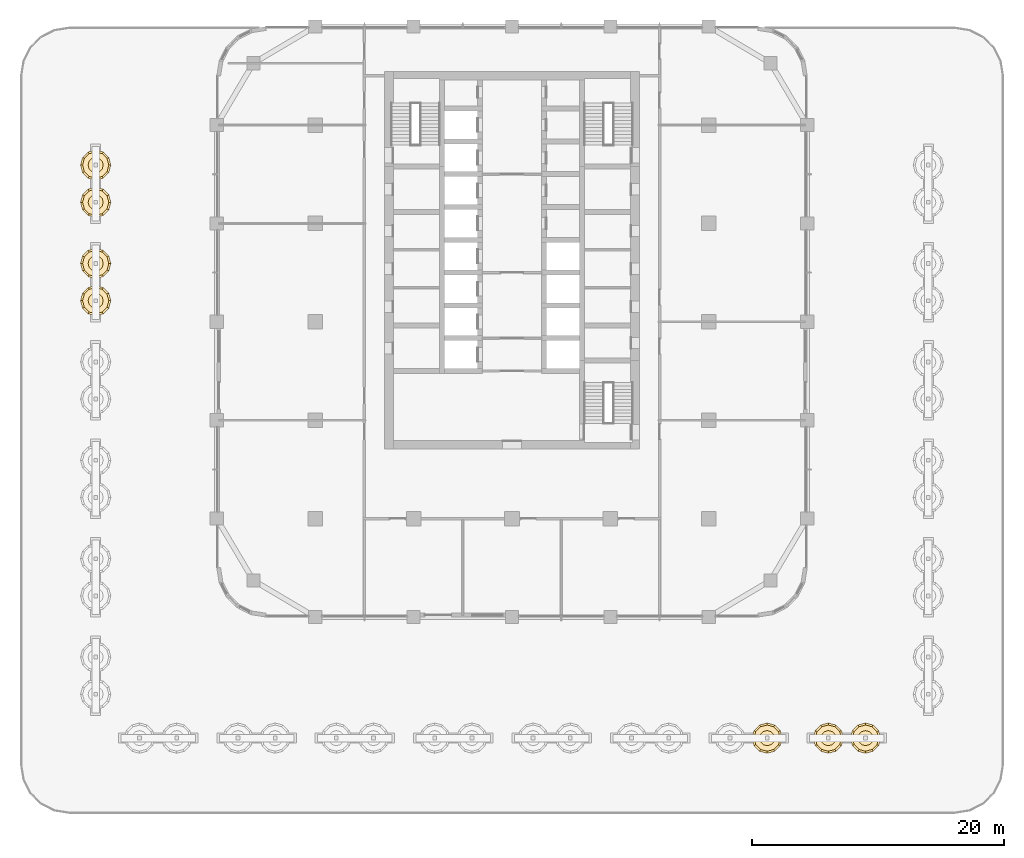
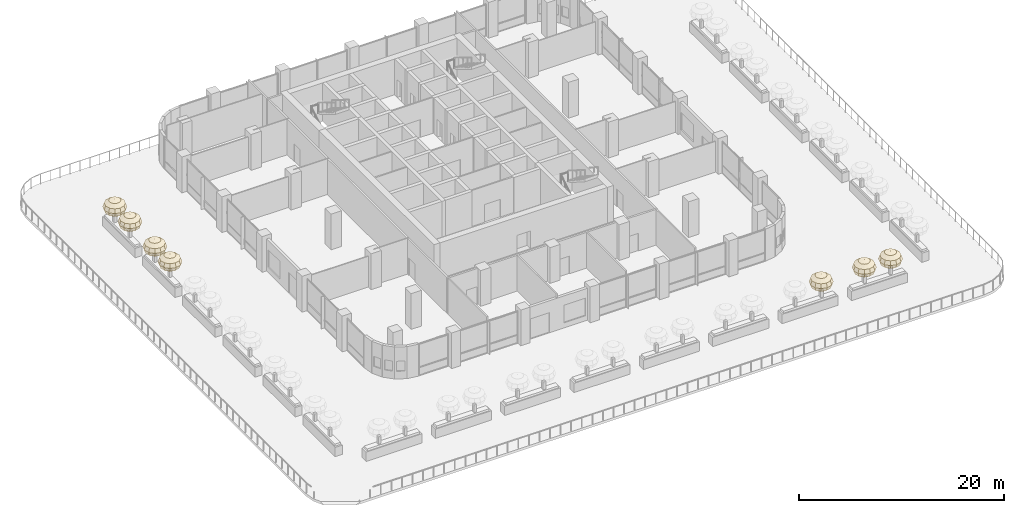
# One storey, part 29 of 31: 7 coverings.
"""IFC4 building model written with IfcOpenShell, lengths in metres."""

from ifc_helpers import new_model, si_unit, direction, frame, origin, place, context, subcontext, project, spatial, triangles, material, layer, layer_set, type_object, element, save


model = new_model("IFC4")

# Units and contexts
model_context = context("Model", 3, precision=1e-05, world=origin(), true_north=direction((0.0, 1.0)))
body_context = subcontext(model_context, "Body", "Model", "MODEL_VIEW")
ifc_project = project(units=[si_unit("LENGTHUNIT", "METRE"), si_unit("AREAUNIT", "SQUARE_METRE"), si_unit("VOLUMEUNIT", "CUBIC_METRE"), si_unit("PLANEANGLEUNIT", "RADIAN"), si_unit("MASSUNIT", "GRAM", prefix="KILO")], contexts=[model_context])

# Site, building, storey
site_placement = place(None, origin())
site = spatial("IfcSite", under=ifc_project, at=site_placement, CompositionType="ELEMENT")
building_placement = place(site_placement, origin())
building = spatial("IfcBuilding", under=site, at=building_placement, Name="Ludao Terraces", CompositionType="ELEMENT")
storey_placement = place(building_placement, frame((0.0, 0.0, 15.0)))
storey = spatial("IfcBuildingStorey", under=building, at=storey_placement, Name="L03", CompositionType="ELEMENT", Elevation=15.0)

# Coverings
ifc_material = material(Name="Planting")
ifc_layer = layer(ifc_material, 2.39990234375)
ifc_layer_set = layer_set([ifc_layer], Name="ENV Terrace tree crown 2400")
covering_type = type_object("IfcCoveringType", Name="ENV Terrace tree crown 2400", PredefinedType="USERDEFINED", material=ifc_layer_set)
covering_1_placement = place(storey_placement, frame((105.22509765625, 32.0, 3.14990234375)))
element("IfcCovering", 1, at=covering_1_placement, inside=storey, type_object=covering_type, Name="Terrace tree crown L03-T7.2", ObjectType="PLANTING", PredefinedType="USERDEFINED", context=body_context, shape_type="Tessellation", body=[
    triangles([(0.0, 0.0, 0.89990234375), (0.599853515625, 0.0, 0.779296875), (0.51953125, 0.300048828125, 0.779296875), (0.300048828125, 0.51953125, 0.779296875), (0.0, 0.599853515625, 0.779296875), (-0.300048828125, 0.51953125, 0.779296875), (-0.51953125, 0.300048828125, 0.779296875), (-0.599853515625, 0.0, 0.779296875), (-0.51953125, -0.300048828125, 0.779296875), (-0.300048828125, -0.51953125, 0.779296875), (0.0, -0.599853515625, 0.779296875), (0.300048828125, -0.51953125, 0.779296875), (0.51953125, -0.300048828125, 0.779296875), (1.039306640625, 0.0, 0.449951171875), (0.89990234375, 0.51953125, 0.449951171875), (0.51953125, 0.89990234375, 0.449951171875), (0.0, 1.039306640625, 0.449951171875), (-0.51953125, 0.89990234375, 0.449951171875), (-0.89990234375, 0.51953125, 0.449951171875), (-1.039306640625, 0.0, 0.449951171875), (-0.89990234375, -0.51953125, 0.449951171875), (-0.51953125, -0.89990234375, 0.449951171875), (0.0, -1.039306640625, 0.449951171875), (0.51953125, -0.89990234375, 0.449951171875), (0.89990234375, -0.51953125, 0.449951171875), (1.199951171875, 0.0, 0.0), (1.039306640625, 0.599853515625, 0.0), (0.60009765625, 1.039306640625, 0.0), (0.0, 1.199951171875, 0.0), (-0.599853515625, 1.039306640625, 0.0), (-1.039306640625, 0.599853515625, 0.0), (-1.199951171875, 0.0, 0.0), (-1.039306640625, -0.599853515625, 0.0), (-0.60009765625, -1.039306640625, 0.0), (0.0, -1.199951171875, 0.0), (0.60009765625, -1.039306640625, 0.0), (1.039306640625, -0.60009765625, 0.0), (1.039306640625, 0.0, -0.449951171875), (0.89990234375, 0.51953125, -0.449951171875), (0.51953125, 0.89990234375, -0.449951171875), (0.0, 1.039306640625, -0.449951171875), (-0.51953125, 0.89990234375, -0.449951171875), (-0.89990234375, 0.51953125, -0.449951171875), (-1.039306640625, 0.0, -0.449951171875), (-0.89990234375, -0.51953125, -0.449951171875), (-0.51953125, -0.89990234375, -0.449951171875), (0.0, -1.039306640625, -0.449951171875), (0.51953125, -0.89990234375, -0.449951171875), (0.89990234375, -0.51953125, -0.449951171875), (0.599853515625, 0.0, -0.779296875), (0.51953125, 0.300048828125, -0.779296875), (0.300048828125, 0.51953125, -0.779296875), (0.0, 0.599853515625, -0.779296875), (-0.300048828125, 0.51953125, -0.779296875), (-0.51953125, 0.300048828125, -0.779296875), (-0.599853515625, 0.0, -0.779296875), (-0.51953125, -0.300048828125, -0.779296875), (-0.300048828125, -0.51953125, -0.779296875), (0.0, -0.599853515625, -0.779296875), (0.300048828125, -0.51953125, -0.779296875), (0.51953125, -0.300048828125, -0.779296875), (0.0, 0.0, -0.89990234375)], [[1, 2, 3], [1, 3, 4], [1, 4, 5], [1, 5, 6], [1, 6, 7], [1, 7, 8], [1, 8, 9], [1, 9, 10], [1, 10, 11], [1, 11, 12], [1, 12, 13], [1, 13, 2], [2, 14, 15], [2, 15, 3], [3, 15, 16], [3, 16, 4], [4, 16, 17], [4, 17, 5], [5, 17, 18], [5, 18, 6], [6, 18, 19], [6, 19, 7], [7, 19, 20], [7, 20, 8], [8, 20, 21], [8, 21, 9], [9, 21, 22], [9, 22, 10], [10, 22, 23], [10, 23, 11], [11, 23, 24], [11, 24, 12], [12, 24, 25], [12, 25, 13], [13, 25, 14], [13, 14, 2], [14, 26, 27], [14, 27, 15], [15, 27, 28], [15, 28, 16], [16, 28, 29], [16, 29, 17], [17, 29, 30], [17, 30, 18], [18, 30, 31], [18, 31, 19], [19, 31, 32], [19, 32, 20], [20, 32, 33], [20, 33, 21], [21, 33, 34], [21, 34, 22], [22, 34, 35], [22, 35, 23], [23, 35, 36], [23, 36, 24], [24, 36, 37], [24, 37, 25], [25, 37, 26], [25, 26, 14], [26, 38, 39], [26, 39, 27], [27, 39, 40], [27, 40, 28], [28, 40, 41], [28, 41, 29], [29, 41, 42], [29, 42, 30], [30, 42, 43], [30, 43, 31], [31, 43, 44], [31, 44, 32], [32, 44, 45], [32, 45, 33], [33, 45, 46], [33, 46, 34], [34, 46, 47], [34, 47, 35], [35, 47, 48], [35, 48, 36], [36, 48, 49], [36, 49, 37], [37, 49, 38], [37, 38, 26], [38, 50, 51], [38, 51, 39], [39, 51, 52], [39, 52, 40], [40, 52, 53], [40, 53, 41], [41, 53, 54], [41, 54, 42], [42, 54, 55], [42, 55, 43], [43, 55, 56], [43, 56, 44], [44, 56, 57], [44, 57, 45], [45, 57, 58], [45, 58, 46], [46, 58, 59], [46, 59, 47], [47, 59, 60], [47, 60, 48], [48, 60, 61], [48, 61, 49], [49, 61, 50], [49, 50, 38], [62, 51, 50], [62, 52, 51], [62, 53, 52], [62, 54, 53], [62, 55, 54], [62, 56, 55], [62, 57, 56], [62, 58, 57], [62, 59, 58], [62, 60, 59], [62, 61, 60], [62, 50, 61]], closed=True),
])
covering_2_placement = place(storey_placement, frame((110.074951171875, 32.0, 3.14990234375)))
element("IfcCovering", 2, at=covering_2_placement, inside=storey, type_object=covering_type, Name="Terrace tree crown L03-T8.1", ObjectType="PLANTING", PredefinedType="USERDEFINED", context=body_context, shape_type="Tessellation", body=[
    triangles([(0.0, 0.0, 0.89990234375), (0.599853515625, 0.0, 0.779296875), (0.51953125, 0.300048828125, 0.779296875), (0.300048828125, 0.51953125, 0.779296875), (0.0, 0.599853515625, 0.779296875), (-0.300048828125, 0.51953125, 0.779296875), (-0.51953125, 0.300048828125, 0.779296875), (-0.599853515625, 0.0, 0.779296875), (-0.51953125, -0.300048828125, 0.779296875), (-0.300048828125, -0.51953125, 0.779296875), (0.0, -0.599853515625, 0.779296875), (0.300048828125, -0.51953125, 0.779296875), (0.51953125, -0.300048828125, 0.779296875), (1.039306640625, 0.0, 0.449951171875), (0.89990234375, 0.51953125, 0.449951171875), (0.51953125, 0.89990234375, 0.449951171875), (0.0, 1.039306640625, 0.449951171875), (-0.51953125, 0.89990234375, 0.449951171875), (-0.89990234375, 0.51953125, 0.449951171875), (-1.039306640625, 0.0, 0.449951171875), (-0.89990234375, -0.51953125, 0.449951171875), (-0.51953125, -0.89990234375, 0.449951171875), (0.0, -1.039306640625, 0.449951171875), (0.51953125, -0.89990234375, 0.449951171875), (0.89990234375, -0.51953125, 0.449951171875), (1.199951171875, 0.0, 0.0), (1.039306640625, 0.599853515625, 0.0), (0.60009765625, 1.039306640625, 0.0), (0.0, 1.199951171875, 0.0), (-0.599853515625, 1.039306640625, 0.0), (-1.039306640625, 0.599853515625, 0.0), (-1.199951171875, 0.0, 0.0), (-1.039306640625, -0.599853515625, 0.0), (-0.60009765625, -1.039306640625, 0.0), (0.0, -1.199951171875, 0.0), (0.60009765625, -1.039306640625, 0.0), (1.039306640625, -0.60009765625, 0.0), (1.039306640625, 0.0, -0.449951171875), (0.89990234375, 0.51953125, -0.449951171875), (0.51953125, 0.89990234375, -0.449951171875), (0.0, 1.039306640625, -0.449951171875), (-0.51953125, 0.89990234375, -0.449951171875), (-0.89990234375, 0.51953125, -0.449951171875), (-1.039306640625, 0.0, -0.449951171875), (-0.89990234375, -0.51953125, -0.449951171875), (-0.51953125, -0.89990234375, -0.449951171875), (0.0, -1.039306640625, -0.449951171875), (0.51953125, -0.89990234375, -0.449951171875), (0.89990234375, -0.51953125, -0.449951171875), (0.599853515625, 0.0, -0.779296875), (0.51953125, 0.300048828125, -0.779296875), (0.300048828125, 0.51953125, -0.779296875), (0.0, 0.599853515625, -0.779296875), (-0.300048828125, 0.51953125, -0.779296875), (-0.51953125, 0.300048828125, -0.779296875), (-0.599853515625, 0.0, -0.779296875), (-0.51953125, -0.300048828125, -0.779296875), (-0.300048828125, -0.51953125, -0.779296875), (0.0, -0.599853515625, -0.779296875), (0.300048828125, -0.51953125, -0.779296875), (0.51953125, -0.300048828125, -0.779296875), (0.0, 0.0, -0.89990234375)], [[1, 2, 3], [1, 3, 4], [1, 4, 5], [1, 5, 6], [1, 6, 7], [1, 7, 8], [1, 8, 9], [1, 9, 10], [1, 10, 11], [1, 11, 12], [1, 12, 13], [1, 13, 2], [2, 14, 15], [2, 15, 3], [3, 15, 16], [3, 16, 4], [4, 16, 17], [4, 17, 5], [5, 17, 18], [5, 18, 6], [6, 18, 19], [6, 19, 7], [7, 19, 20], [7, 20, 8], [8, 20, 21], [8, 21, 9], [9, 21, 22], [9, 22, 10], [10, 22, 23], [10, 23, 11], [11, 23, 24], [11, 24, 12], [12, 24, 25], [12, 25, 13], [13, 25, 14], [13, 14, 2], [14, 26, 27], [14, 27, 15], [15, 27, 28], [15, 28, 16], [16, 28, 29], [16, 29, 17], [17, 29, 30], [17, 30, 18], [18, 30, 31], [18, 31, 19], [19, 31, 32], [19, 32, 20], [20, 32, 33], [20, 33, 21], [21, 33, 34], [21, 34, 22], [22, 34, 35], [22, 35, 23], [23, 35, 36], [23, 36, 24], [24, 36, 37], [24, 37, 25], [25, 37, 26], [25, 26, 14], [26, 38, 39], [26, 39, 27], [27, 39, 40], [27, 40, 28], [28, 40, 41], [28, 41, 29], [29, 41, 42], [29, 42, 30], [30, 42, 43], [30, 43, 31], [31, 43, 44], [31, 44, 32], [32, 44, 45], [32, 45, 33], [33, 45, 46], [33, 46, 34], [34, 46, 47], [34, 47, 35], [35, 47, 48], [35, 48, 36], [36, 48, 49], [36, 49, 37], [37, 49, 38], [37, 38, 26], [38, 50, 51], [38, 51, 39], [39, 51, 52], [39, 52, 40], [40, 52, 53], [40, 53, 41], [41, 53, 54], [41, 54, 42], [42, 54, 55], [42, 55, 43], [43, 55, 56], [43, 56, 44], [44, 56, 57], [44, 57, 45], [45, 57, 58], [45, 58, 46], [46, 58, 59], [46, 59, 47], [47, 59, 60], [47, 60, 48], [48, 60, 61], [48, 61, 49], [49, 61, 50], [49, 50, 38], [62, 51, 50], [62, 52, 51], [62, 53, 52], [62, 54, 53], [62, 55, 54], [62, 56, 55], [62, 57, 56], [62, 58, 57], [62, 59, 58], [62, 60, 59], [62, 61, 60], [62, 50, 61]], closed=True),
])
covering_3_placement = place(storey_placement, frame((113.02490234375, 32.0, 3.14990234375)))
element("IfcCovering", 3, at=covering_3_placement, inside=storey, type_object=covering_type, Name="Terrace tree crown L03-T8.2", ObjectType="PLANTING", PredefinedType="USERDEFINED", context=body_context, shape_type="Tessellation", body=[
    triangles([(0.0, 0.0, 0.89990234375), (0.599853515625, 0.0, 0.779296875), (0.51953125, 0.300048828125, 0.779296875), (0.300048828125, 0.51953125, 0.779296875), (0.0, 0.599853515625, 0.779296875), (-0.300048828125, 0.51953125, 0.779296875), (-0.51953125, 0.300048828125, 0.779296875), (-0.599853515625, 0.0, 0.779296875), (-0.51953125, -0.300048828125, 0.779296875), (-0.300048828125, -0.51953125, 0.779296875), (0.0, -0.599853515625, 0.779296875), (0.300048828125, -0.51953125, 0.779296875), (0.51953125, -0.300048828125, 0.779296875), (1.039306640625, 0.0, 0.449951171875), (0.89990234375, 0.51953125, 0.449951171875), (0.51953125, 0.89990234375, 0.449951171875), (0.0, 1.039306640625, 0.449951171875), (-0.51953125, 0.89990234375, 0.449951171875), (-0.89990234375, 0.51953125, 0.449951171875), (-1.039306640625, 0.0, 0.449951171875), (-0.89990234375, -0.51953125, 0.449951171875), (-0.51953125, -0.89990234375, 0.449951171875), (0.0, -1.039306640625, 0.449951171875), (0.51953125, -0.89990234375, 0.449951171875), (0.89990234375, -0.51953125, 0.449951171875), (1.199951171875, 0.0, 0.0), (1.039306640625, 0.599853515625, 0.0), (0.60009765625, 1.039306640625, 0.0), (0.0, 1.199951171875, 0.0), (-0.599853515625, 1.039306640625, 0.0), (-1.039306640625, 0.599853515625, 0.0), (-1.199951171875, 0.0, 0.0), (-1.039306640625, -0.599853515625, 0.0), (-0.60009765625, -1.039306640625, 0.0), (0.0, -1.199951171875, 0.0), (0.60009765625, -1.039306640625, 0.0), (1.039306640625, -0.60009765625, 0.0), (1.039306640625, 0.0, -0.449951171875), (0.89990234375, 0.51953125, -0.449951171875), (0.51953125, 0.89990234375, -0.449951171875), (0.0, 1.039306640625, -0.449951171875), (-0.51953125, 0.89990234375, -0.449951171875), (-0.89990234375, 0.51953125, -0.449951171875), (-1.039306640625, 0.0, -0.449951171875), (-0.89990234375, -0.51953125, -0.449951171875), (-0.51953125, -0.89990234375, -0.449951171875), (0.0, -1.039306640625, -0.449951171875), (0.51953125, -0.89990234375, -0.449951171875), (0.89990234375, -0.51953125, -0.449951171875), (0.599853515625, 0.0, -0.779296875), (0.51953125, 0.300048828125, -0.779296875), (0.300048828125, 0.51953125, -0.779296875), (0.0, 0.599853515625, -0.779296875), (-0.300048828125, 0.51953125, -0.779296875), (-0.51953125, 0.300048828125, -0.779296875), (-0.599853515625, 0.0, -0.779296875), (-0.51953125, -0.300048828125, -0.779296875), (-0.300048828125, -0.51953125, -0.779296875), (0.0, -0.599853515625, -0.779296875), (0.300048828125, -0.51953125, -0.779296875), (0.51953125, -0.300048828125, -0.779296875), (0.0, 0.0, -0.89990234375)], [[1, 2, 3], [1, 3, 4], [1, 4, 5], [1, 5, 6], [1, 6, 7], [1, 7, 8], [1, 8, 9], [1, 9, 10], [1, 10, 11], [1, 11, 12], [1, 12, 13], [1, 13, 2], [2, 14, 15], [2, 15, 3], [3, 15, 16], [3, 16, 4], [4, 16, 17], [4, 17, 5], [5, 17, 18], [5, 18, 6], [6, 18, 19], [6, 19, 7], [7, 19, 20], [7, 20, 8], [8, 20, 21], [8, 21, 9], [9, 21, 22], [9, 22, 10], [10, 22, 23], [10, 23, 11], [11, 23, 24], [11, 24, 12], [12, 24, 25], [12, 25, 13], [13, 25, 14], [13, 14, 2], [14, 26, 27], [14, 27, 15], [15, 27, 28], [15, 28, 16], [16, 28, 29], [16, 29, 17], [17, 29, 30], [17, 30, 18], [18, 30, 31], [18, 31, 19], [19, 31, 32], [19, 32, 20], [20, 32, 33], [20, 33, 21], [21, 33, 34], [21, 34, 22], [22, 34, 35], [22, 35, 23], [23, 35, 36], [23, 36, 24], [24, 36, 37], [24, 37, 25], [25, 37, 26], [25, 26, 14], [26, 38, 39], [26, 39, 27], [27, 39, 40], [27, 40, 28], [28, 40, 41], [28, 41, 29], [29, 41, 42], [29, 42, 30], [30, 42, 43], [30, 43, 31], [31, 43, 44], [31, 44, 32], [32, 44, 45], [32, 45, 33], [33, 45, 46], [33, 46, 34], [34, 46, 47], [34, 47, 35], [35, 47, 48], [35, 48, 36], [36, 48, 49], [36, 49, 37], [37, 49, 38], [37, 38, 26], [38, 50, 51], [38, 51, 39], [39, 51, 52], [39, 52, 40], [40, 52, 53], [40, 53, 41], [41, 53, 54], [41, 54, 42], [42, 54, 55], [42, 55, 43], [43, 55, 56], [43, 56, 44], [44, 56, 57], [44, 57, 45], [45, 57, 58], [45, 58, 46], [46, 58, 59], [46, 59, 47], [47, 59, 60], [47, 60, 48], [48, 60, 61], [48, 61, 49], [49, 61, 50], [49, 50, 38], [62, 51, 50], [62, 52, 51], [62, 53, 52], [62, 54, 53], [62, 55, 54], [62, 56, 55], [62, 57, 56], [62, 58, 57], [62, 59, 58], [62, 60, 59], [62, 61, 60], [62, 50, 61]], closed=True),
])
covering_4_placement = place(storey_placement, frame((52.0, 66.675048828125, 3.14990234375)))
element("IfcCovering", 4, at=covering_4_placement, inside=storey, type_object=covering_type, Name="Terrace tree crown L03-T13.1", ObjectType="PLANTING", PredefinedType="USERDEFINED", context=body_context, shape_type="Tessellation", body=[
    triangles([(0.0, 0.0, 0.89990234375), (0.599853515625, 0.0, 0.779296875), (0.51953125, 0.300048828125, 0.779296875), (0.300048828125, 0.51953125, 0.779296875), (0.0, 0.599853515625, 0.779296875), (-0.300048828125, 0.51953125, 0.779296875), (-0.51953125, 0.300048828125, 0.779296875), (-0.599853515625, 0.0, 0.779296875), (-0.51953125, -0.300048828125, 0.779296875), (-0.300048828125, -0.51953125, 0.779296875), (0.0, -0.599853515625, 0.779296875), (0.300048828125, -0.51953125, 0.779296875), (0.51953125, -0.300048828125, 0.779296875), (1.039306640625, 0.0, 0.449951171875), (0.89990234375, 0.51953125, 0.449951171875), (0.51953125, 0.89990234375, 0.449951171875), (0.0, 1.039306640625, 0.449951171875), (-0.51953125, 0.89990234375, 0.449951171875), (-0.89990234375, 0.51953125, 0.449951171875), (-1.039306640625, 0.0, 0.449951171875), (-0.89990234375, -0.51953125, 0.449951171875), (-0.51953125, -0.89990234375, 0.449951171875), (0.0, -1.039306640625, 0.449951171875), (0.51953125, -0.89990234375, 0.449951171875), (0.89990234375, -0.51953125, 0.449951171875), (1.199951171875, 0.0, 0.0), (1.039306640625, 0.599853515625, 0.0), (0.60009765625, 1.039306640625, 0.0), (0.0, 1.199951171875, 0.0), (-0.599853515625, 1.039306640625, 0.0), (-1.039306640625, 0.599853515625, 0.0), (-1.199951171875, 0.0, 0.0), (-1.039306640625, -0.599853515625, 0.0), (-0.60009765625, -1.039306640625, 0.0), (0.0, -1.199951171875, 0.0), (0.60009765625, -1.039306640625, 0.0), (1.039306640625, -0.60009765625, 0.0), (1.039306640625, 0.0, -0.449951171875), (0.89990234375, 0.51953125, -0.449951171875), (0.51953125, 0.89990234375, -0.449951171875), (0.0, 1.039306640625, -0.449951171875), (-0.51953125, 0.89990234375, -0.449951171875), (-0.89990234375, 0.51953125, -0.449951171875), (-1.039306640625, 0.0, -0.449951171875), (-0.89990234375, -0.51953125, -0.449951171875), (-0.51953125, -0.89990234375, -0.449951171875), (0.0, -1.039306640625, -0.449951171875), (0.51953125, -0.89990234375, -0.449951171875), (0.89990234375, -0.51953125, -0.449951171875), (0.599853515625, 0.0, -0.779296875), (0.51953125, 0.300048828125, -0.779296875), (0.300048828125, 0.51953125, -0.779296875), (0.0, 0.599853515625, -0.779296875), (-0.300048828125, 0.51953125, -0.779296875), (-0.51953125, 0.300048828125, -0.779296875), (-0.599853515625, 0.0, -0.779296875), (-0.51953125, -0.300048828125, -0.779296875), (-0.300048828125, -0.51953125, -0.779296875), (0.0, -0.599853515625, -0.779296875), (0.300048828125, -0.51953125, -0.779296875), (0.51953125, -0.300048828125, -0.779296875), (0.0, 0.0, -0.89990234375)], [[1, 2, 3], [1, 3, 4], [1, 4, 5], [1, 5, 6], [1, 6, 7], [1, 7, 8], [1, 8, 9], [1, 9, 10], [1, 10, 11], [1, 11, 12], [1, 12, 13], [1, 13, 2], [2, 14, 15], [2, 15, 3], [3, 15, 16], [3, 16, 4], [4, 16, 17], [4, 17, 5], [5, 17, 18], [5, 18, 6], [6, 18, 19], [6, 19, 7], [7, 19, 20], [7, 20, 8], [8, 20, 21], [8, 21, 9], [9, 21, 22], [9, 22, 10], [10, 22, 23], [10, 23, 11], [11, 23, 24], [11, 24, 12], [12, 24, 25], [12, 25, 13], [13, 25, 14], [13, 14, 2], [14, 26, 27], [14, 27, 15], [15, 27, 28], [15, 28, 16], [16, 28, 29], [16, 29, 17], [17, 29, 30], [17, 30, 18], [18, 30, 31], [18, 31, 19], [19, 31, 32], [19, 32, 20], [20, 32, 33], [20, 33, 21], [21, 33, 34], [21, 34, 22], [22, 34, 35], [22, 35, 23], [23, 35, 36], [23, 36, 24], [24, 36, 37], [24, 37, 25], [25, 37, 26], [25, 26, 14], [26, 38, 39], [26, 39, 27], [27, 39, 40], [27, 40, 28], [28, 40, 41], [28, 41, 29], [29, 41, 42], [29, 42, 30], [30, 42, 43], [30, 43, 31], [31, 43, 44], [31, 44, 32], [32, 44, 45], [32, 45, 33], [33, 45, 46], [33, 46, 34], [34, 46, 47], [34, 47, 35], [35, 47, 48], [35, 48, 36], [36, 48, 49], [36, 49, 37], [37, 49, 38], [37, 38, 26], [38, 50, 51], [38, 51, 39], [39, 51, 52], [39, 52, 40], [40, 52, 53], [40, 53, 41], [41, 53, 54], [41, 54, 42], [42, 54, 55], [42, 55, 43], [43, 55, 56], [43, 56, 44], [44, 56, 57], [44, 57, 45], [45, 57, 58], [45, 58, 46], [46, 58, 59], [46, 59, 47], [47, 59, 60], [47, 60, 48], [48, 60, 61], [48, 61, 49], [49, 61, 50], [49, 50, 38], [62, 51, 50], [62, 52, 51], [62, 53, 52], [62, 54, 53], [62, 55, 54], [62, 56, 55], [62, 57, 56], [62, 58, 57], [62, 59, 58], [62, 60, 59], [62, 61, 60], [62, 50, 61]], closed=True),
])
covering_5_placement = place(storey_placement, frame((52.0, 69.625, 3.14990234375)))
element("IfcCovering", 5, at=covering_5_placement, inside=storey, type_object=covering_type, Name="Terrace tree crown L03-T13.2", ObjectType="PLANTING", PredefinedType="USERDEFINED", context=body_context, shape_type="Tessellation", body=[
    triangles([(0.0, 0.0, 0.89990234375), (0.599853515625, 0.0, 0.779296875), (0.51953125, 0.300048828125, 0.779296875), (0.300048828125, 0.51953125, 0.779296875), (0.0, 0.599853515625, 0.779296875), (-0.300048828125, 0.51953125, 0.779296875), (-0.51953125, 0.300048828125, 0.779296875), (-0.599853515625, 0.0, 0.779296875), (-0.51953125, -0.300048828125, 0.779296875), (-0.300048828125, -0.51953125, 0.779296875), (0.0, -0.599853515625, 0.779296875), (0.300048828125, -0.51953125, 0.779296875), (0.51953125, -0.300048828125, 0.779296875), (1.039306640625, 0.0, 0.449951171875), (0.89990234375, 0.51953125, 0.449951171875), (0.51953125, 0.89990234375, 0.449951171875), (0.0, 1.039306640625, 0.449951171875), (-0.51953125, 0.89990234375, 0.449951171875), (-0.89990234375, 0.51953125, 0.449951171875), (-1.039306640625, 0.0, 0.449951171875), (-0.89990234375, -0.51953125, 0.449951171875), (-0.51953125, -0.89990234375, 0.449951171875), (0.0, -1.039306640625, 0.449951171875), (0.51953125, -0.89990234375, 0.449951171875), (0.89990234375, -0.51953125, 0.449951171875), (1.199951171875, 0.0, 0.0), (1.039306640625, 0.599853515625, 0.0), (0.60009765625, 1.039306640625, 0.0), (0.0, 1.199951171875, 0.0), (-0.599853515625, 1.039306640625, 0.0), (-1.039306640625, 0.599853515625, 0.0), (-1.199951171875, 0.0, 0.0), (-1.039306640625, -0.599853515625, 0.0), (-0.60009765625, -1.039306640625, 0.0), (0.0, -1.199951171875, 0.0), (0.60009765625, -1.039306640625, 0.0), (1.039306640625, -0.60009765625, 0.0), (1.039306640625, 0.0, -0.449951171875), (0.89990234375, 0.51953125, -0.449951171875), (0.51953125, 0.89990234375, -0.449951171875), (0.0, 1.039306640625, -0.449951171875), (-0.51953125, 0.89990234375, -0.449951171875), (-0.89990234375, 0.51953125, -0.449951171875), (-1.039306640625, 0.0, -0.449951171875), (-0.89990234375, -0.51953125, -0.449951171875), (-0.51953125, -0.89990234375, -0.449951171875), (0.0, -1.039306640625, -0.449951171875), (0.51953125, -0.89990234375, -0.449951171875), (0.89990234375, -0.51953125, -0.449951171875), (0.599853515625, 0.0, -0.779296875), (0.51953125, 0.300048828125, -0.779296875), (0.300048828125, 0.51953125, -0.779296875), (0.0, 0.599853515625, -0.779296875), (-0.300048828125, 0.51953125, -0.779296875), (-0.51953125, 0.300048828125, -0.779296875), (-0.599853515625, 0.0, -0.779296875), (-0.51953125, -0.300048828125, -0.779296875), (-0.300048828125, -0.51953125, -0.779296875), (0.0, -0.599853515625, -0.779296875), (0.300048828125, -0.51953125, -0.779296875), (0.51953125, -0.300048828125, -0.779296875), (0.0, 0.0, -0.89990234375)], [[1, 2, 3], [1, 3, 4], [1, 4, 5], [1, 5, 6], [1, 6, 7], [1, 7, 8], [1, 8, 9], [1, 9, 10], [1, 10, 11], [1, 11, 12], [1, 12, 13], [1, 13, 2], [2, 14, 15], [2, 15, 3], [3, 15, 16], [3, 16, 4], [4, 16, 17], [4, 17, 5], [5, 17, 18], [5, 18, 6], [6, 18, 19], [6, 19, 7], [7, 19, 20], [7, 20, 8], [8, 20, 21], [8, 21, 9], [9, 21, 22], [9, 22, 10], [10, 22, 23], [10, 23, 11], [11, 23, 24], [11, 24, 12], [12, 24, 25], [12, 25, 13], [13, 25, 14], [13, 14, 2], [14, 26, 27], [14, 27, 15], [15, 27, 28], [15, 28, 16], [16, 28, 29], [16, 29, 17], [17, 29, 30], [17, 30, 18], [18, 30, 31], [18, 31, 19], [19, 31, 32], [19, 32, 20], [20, 32, 33], [20, 33, 21], [21, 33, 34], [21, 34, 22], [22, 34, 35], [22, 35, 23], [23, 35, 36], [23, 36, 24], [24, 36, 37], [24, 37, 25], [25, 37, 26], [25, 26, 14], [26, 38, 39], [26, 39, 27], [27, 39, 40], [27, 40, 28], [28, 40, 41], [28, 41, 29], [29, 41, 42], [29, 42, 30], [30, 42, 43], [30, 43, 31], [31, 43, 44], [31, 44, 32], [32, 44, 45], [32, 45, 33], [33, 45, 46], [33, 46, 34], [34, 46, 47], [34, 47, 35], [35, 47, 48], [35, 48, 36], [36, 48, 49], [36, 49, 37], [37, 49, 38], [37, 38, 26], [38, 50, 51], [38, 51, 39], [39, 51, 52], [39, 52, 40], [40, 52, 53], [40, 53, 41], [41, 53, 54], [41, 54, 42], [42, 54, 55], [42, 55, 43], [43, 55, 56], [43, 56, 44], [44, 56, 57], [44, 57, 45], [45, 57, 58], [45, 58, 46], [46, 58, 59], [46, 59, 47], [47, 59, 60], [47, 60, 48], [48, 60, 61], [48, 61, 49], [49, 61, 50], [49, 50, 38], [62, 51, 50], [62, 52, 51], [62, 53, 52], [62, 54, 53], [62, 55, 54], [62, 56, 55], [62, 57, 56], [62, 58, 57], [62, 59, 58], [62, 60, 59], [62, 61, 60], [62, 50, 61]], closed=True),
])
covering_6_placement = place(storey_placement, frame((52.0, 74.47509765625, 3.14990234375)))
element("IfcCovering", 6, at=covering_6_placement, inside=storey, type_object=covering_type, Name="Terrace tree crown L03-T14.1", ObjectType="PLANTING", PredefinedType="USERDEFINED", context=body_context, shape_type="Tessellation", body=[
    triangles([(0.0, 0.0, 0.89990234375), (0.599853515625, 0.0, 0.779296875), (0.51953125, 0.300048828125, 0.779296875), (0.300048828125, 0.51953125, 0.779296875), (0.0, 0.599853515625, 0.779296875), (-0.300048828125, 0.51953125, 0.779296875), (-0.51953125, 0.300048828125, 0.779296875), (-0.599853515625, 0.0, 0.779296875), (-0.51953125, -0.300048828125, 0.779296875), (-0.300048828125, -0.51953125, 0.779296875), (0.0, -0.599853515625, 0.779296875), (0.300048828125, -0.51953125, 0.779296875), (0.51953125, -0.300048828125, 0.779296875), (1.039306640625, 0.0, 0.449951171875), (0.89990234375, 0.51953125, 0.449951171875), (0.51953125, 0.89990234375, 0.449951171875), (0.0, 1.039306640625, 0.449951171875), (-0.51953125, 0.89990234375, 0.449951171875), (-0.89990234375, 0.51953125, 0.449951171875), (-1.039306640625, 0.0, 0.449951171875), (-0.89990234375, -0.51953125, 0.449951171875), (-0.51953125, -0.89990234375, 0.449951171875), (0.0, -1.039306640625, 0.449951171875), (0.51953125, -0.89990234375, 0.449951171875), (0.89990234375, -0.51953125, 0.449951171875), (1.199951171875, 0.0, 0.0), (1.039306640625, 0.599853515625, 0.0), (0.60009765625, 1.039306640625, 0.0), (0.0, 1.199951171875, 0.0), (-0.599853515625, 1.039306640625, 0.0), (-1.039306640625, 0.599853515625, 0.0), (-1.199951171875, 0.0, 0.0), (-1.039306640625, -0.599853515625, 0.0), (-0.60009765625, -1.039306640625, 0.0), (0.0, -1.199951171875, 0.0), (0.60009765625, -1.039306640625, 0.0), (1.039306640625, -0.60009765625, 0.0), (1.039306640625, 0.0, -0.449951171875), (0.89990234375, 0.51953125, -0.449951171875), (0.51953125, 0.89990234375, -0.449951171875), (0.0, 1.039306640625, -0.449951171875), (-0.51953125, 0.89990234375, -0.449951171875), (-0.89990234375, 0.51953125, -0.449951171875), (-1.039306640625, 0.0, -0.449951171875), (-0.89990234375, -0.51953125, -0.449951171875), (-0.51953125, -0.89990234375, -0.449951171875), (0.0, -1.039306640625, -0.449951171875), (0.51953125, -0.89990234375, -0.449951171875), (0.89990234375, -0.51953125, -0.449951171875), (0.599853515625, 0.0, -0.779296875), (0.51953125, 0.300048828125, -0.779296875), (0.300048828125, 0.51953125, -0.779296875), (0.0, 0.599853515625, -0.779296875), (-0.300048828125, 0.51953125, -0.779296875), (-0.51953125, 0.300048828125, -0.779296875), (-0.599853515625, 0.0, -0.779296875), (-0.51953125, -0.300048828125, -0.779296875), (-0.300048828125, -0.51953125, -0.779296875), (0.0, -0.599853515625, -0.779296875), (0.300048828125, -0.51953125, -0.779296875), (0.51953125, -0.300048828125, -0.779296875), (0.0, 0.0, -0.89990234375)], [[1, 2, 3], [1, 3, 4], [1, 4, 5], [1, 5, 6], [1, 6, 7], [1, 7, 8], [1, 8, 9], [1, 9, 10], [1, 10, 11], [1, 11, 12], [1, 12, 13], [1, 13, 2], [2, 14, 15], [2, 15, 3], [3, 15, 16], [3, 16, 4], [4, 16, 17], [4, 17, 5], [5, 17, 18], [5, 18, 6], [6, 18, 19], [6, 19, 7], [7, 19, 20], [7, 20, 8], [8, 20, 21], [8, 21, 9], [9, 21, 22], [9, 22, 10], [10, 22, 23], [10, 23, 11], [11, 23, 24], [11, 24, 12], [12, 24, 25], [12, 25, 13], [13, 25, 14], [13, 14, 2], [14, 26, 27], [14, 27, 15], [15, 27, 28], [15, 28, 16], [16, 28, 29], [16, 29, 17], [17, 29, 30], [17, 30, 18], [18, 30, 31], [18, 31, 19], [19, 31, 32], [19, 32, 20], [20, 32, 33], [20, 33, 21], [21, 33, 34], [21, 34, 22], [22, 34, 35], [22, 35, 23], [23, 35, 36], [23, 36, 24], [24, 36, 37], [24, 37, 25], [25, 37, 26], [25, 26, 14], [26, 38, 39], [26, 39, 27], [27, 39, 40], [27, 40, 28], [28, 40, 41], [28, 41, 29], [29, 41, 42], [29, 42, 30], [30, 42, 43], [30, 43, 31], [31, 43, 44], [31, 44, 32], [32, 44, 45], [32, 45, 33], [33, 45, 46], [33, 46, 34], [34, 46, 47], [34, 47, 35], [35, 47, 48], [35, 48, 36], [36, 48, 49], [36, 49, 37], [37, 49, 38], [37, 38, 26], [38, 50, 51], [38, 51, 39], [39, 51, 52], [39, 52, 40], [40, 52, 53], [40, 53, 41], [41, 53, 54], [41, 54, 42], [42, 54, 55], [42, 55, 43], [43, 55, 56], [43, 56, 44], [44, 56, 57], [44, 57, 45], [45, 57, 58], [45, 58, 46], [46, 58, 59], [46, 59, 47], [47, 59, 60], [47, 60, 48], [48, 60, 61], [48, 61, 49], [49, 61, 50], [49, 50, 38], [62, 51, 50], [62, 52, 51], [62, 53, 52], [62, 54, 53], [62, 55, 54], [62, 56, 55], [62, 57, 56], [62, 58, 57], [62, 59, 58], [62, 60, 59], [62, 61, 60], [62, 50, 61]], closed=True),
])
covering_7_placement = place(storey_placement, frame((52.0, 77.425048828125, 3.14990234375)))
element("IfcCovering", 7, at=covering_7_placement, inside=storey, type_object=covering_type, Name="Terrace tree crown L03-T14.2", ObjectType="PLANTING", PredefinedType="USERDEFINED", context=body_context, shape_type="Tessellation", body=[
    triangles([(0.0, 0.0, 0.89990234375), (0.599853515625, 0.0, 0.779296875), (0.51953125, 0.300048828125, 0.779296875), (0.300048828125, 0.51953125, 0.779296875), (0.0, 0.599853515625, 0.779296875), (-0.300048828125, 0.51953125, 0.779296875), (-0.51953125, 0.300048828125, 0.779296875), (-0.599853515625, 0.0, 0.779296875), (-0.51953125, -0.300048828125, 0.779296875), (-0.300048828125, -0.51953125, 0.779296875), (0.0, -0.599853515625, 0.779296875), (0.300048828125, -0.51953125, 0.779296875), (0.51953125, -0.300048828125, 0.779296875), (1.039306640625, 0.0, 0.449951171875), (0.89990234375, 0.51953125, 0.449951171875), (0.51953125, 0.89990234375, 0.449951171875), (0.0, 1.039306640625, 0.449951171875), (-0.51953125, 0.89990234375, 0.449951171875), (-0.89990234375, 0.51953125, 0.449951171875), (-1.039306640625, 0.0, 0.449951171875), (-0.89990234375, -0.51953125, 0.449951171875), (-0.51953125, -0.89990234375, 0.449951171875), (0.0, -1.039306640625, 0.449951171875), (0.51953125, -0.89990234375, 0.449951171875), (0.89990234375, -0.51953125, 0.449951171875), (1.199951171875, 0.0, 0.0), (1.039306640625, 0.599853515625, 0.0), (0.60009765625, 1.039306640625, 0.0), (0.0, 1.199951171875, 0.0), (-0.599853515625, 1.039306640625, 0.0), (-1.039306640625, 0.599853515625, 0.0), (-1.199951171875, 0.0, 0.0), (-1.039306640625, -0.599853515625, 0.0), (-0.60009765625, -1.039306640625, 0.0), (0.0, -1.199951171875, 0.0), (0.60009765625, -1.039306640625, 0.0), (1.039306640625, -0.60009765625, 0.0), (1.039306640625, 0.0, -0.449951171875), (0.89990234375, 0.51953125, -0.449951171875), (0.51953125, 0.89990234375, -0.449951171875), (0.0, 1.039306640625, -0.449951171875), (-0.51953125, 0.89990234375, -0.449951171875), (-0.89990234375, 0.51953125, -0.449951171875), (-1.039306640625, 0.0, -0.449951171875), (-0.89990234375, -0.51953125, -0.449951171875), (-0.51953125, -0.89990234375, -0.449951171875), (0.0, -1.039306640625, -0.449951171875), (0.51953125, -0.89990234375, -0.449951171875), (0.89990234375, -0.51953125, -0.449951171875), (0.599853515625, 0.0, -0.779296875), (0.51953125, 0.300048828125, -0.779296875), (0.300048828125, 0.51953125, -0.779296875), (0.0, 0.599853515625, -0.779296875), (-0.300048828125, 0.51953125, -0.779296875), (-0.51953125, 0.300048828125, -0.779296875), (-0.599853515625, 0.0, -0.779296875), (-0.51953125, -0.300048828125, -0.779296875), (-0.300048828125, -0.51953125, -0.779296875), (0.0, -0.599853515625, -0.779296875), (0.300048828125, -0.51953125, -0.779296875), (0.51953125, -0.300048828125, -0.779296875), (0.0, 0.0, -0.89990234375)], [[1, 2, 3], [1, 3, 4], [1, 4, 5], [1, 5, 6], [1, 6, 7], [1, 7, 8], [1, 8, 9], [1, 9, 10], [1, 10, 11], [1, 11, 12], [1, 12, 13], [1, 13, 2], [2, 14, 15], [2, 15, 3], [3, 15, 16], [3, 16, 4], [4, 16, 17], [4, 17, 5], [5, 17, 18], [5, 18, 6], [6, 18, 19], [6, 19, 7], [7, 19, 20], [7, 20, 8], [8, 20, 21], [8, 21, 9], [9, 21, 22], [9, 22, 10], [10, 22, 23], [10, 23, 11], [11, 23, 24], [11, 24, 12], [12, 24, 25], [12, 25, 13], [13, 25, 14], [13, 14, 2], [14, 26, 27], [14, 27, 15], [15, 27, 28], [15, 28, 16], [16, 28, 29], [16, 29, 17], [17, 29, 30], [17, 30, 18], [18, 30, 31], [18, 31, 19], [19, 31, 32], [19, 32, 20], [20, 32, 33], [20, 33, 21], [21, 33, 34], [21, 34, 22], [22, 34, 35], [22, 35, 23], [23, 35, 36], [23, 36, 24], [24, 36, 37], [24, 37, 25], [25, 37, 26], [25, 26, 14], [26, 38, 39], [26, 39, 27], [27, 39, 40], [27, 40, 28], [28, 40, 41], [28, 41, 29], [29, 41, 42], [29, 42, 30], [30, 42, 43], [30, 43, 31], [31, 43, 44], [31, 44, 32], [32, 44, 45], [32, 45, 33], [33, 45, 46], [33, 46, 34], [34, 46, 47], [34, 47, 35], [35, 47, 48], [35, 48, 36], [36, 48, 49], [36, 49, 37], [37, 49, 38], [37, 38, 26], [38, 50, 51], [38, 51, 39], [39, 51, 52], [39, 52, 40], [40, 52, 53], [40, 53, 41], [41, 53, 54], [41, 54, 42], [42, 54, 55], [42, 55, 43], [43, 55, 56], [43, 56, 44], [44, 56, 57], [44, 57, 45], [45, 57, 58], [45, 58, 46], [46, 58, 59], [46, 59, 47], [47, 59, 60], [47, 60, 48], [48, 60, 61], [48, 61, 49], [49, 61, 50], [49, 50, 38], [62, 51, 50], [62, 52, 51], [62, 53, 52], [62, 54, 53], [62, 55, 54], [62, 56, 55], [62, 57, 56], [62, 58, 57], [62, 59, 58], [62, 60, 59], [62, 61, 60], [62, 50, 61]], closed=True),
])

save(model, "model.ifc")
